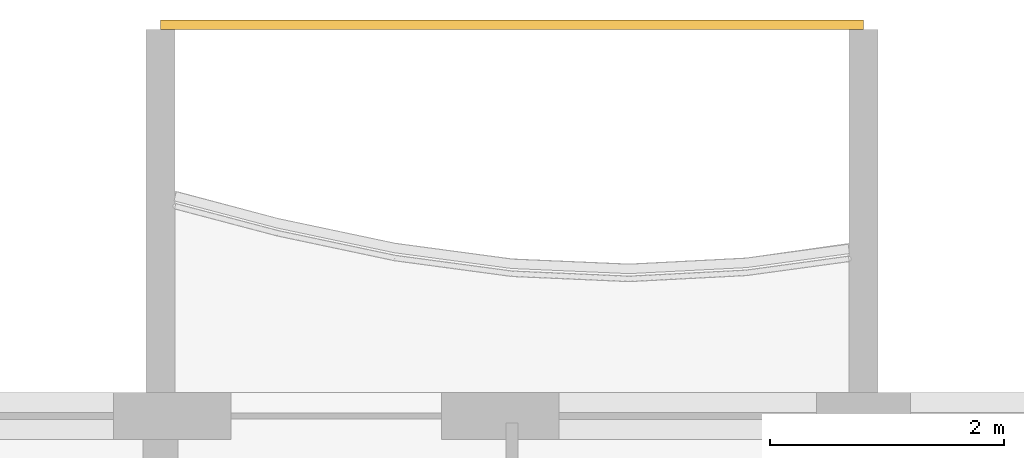
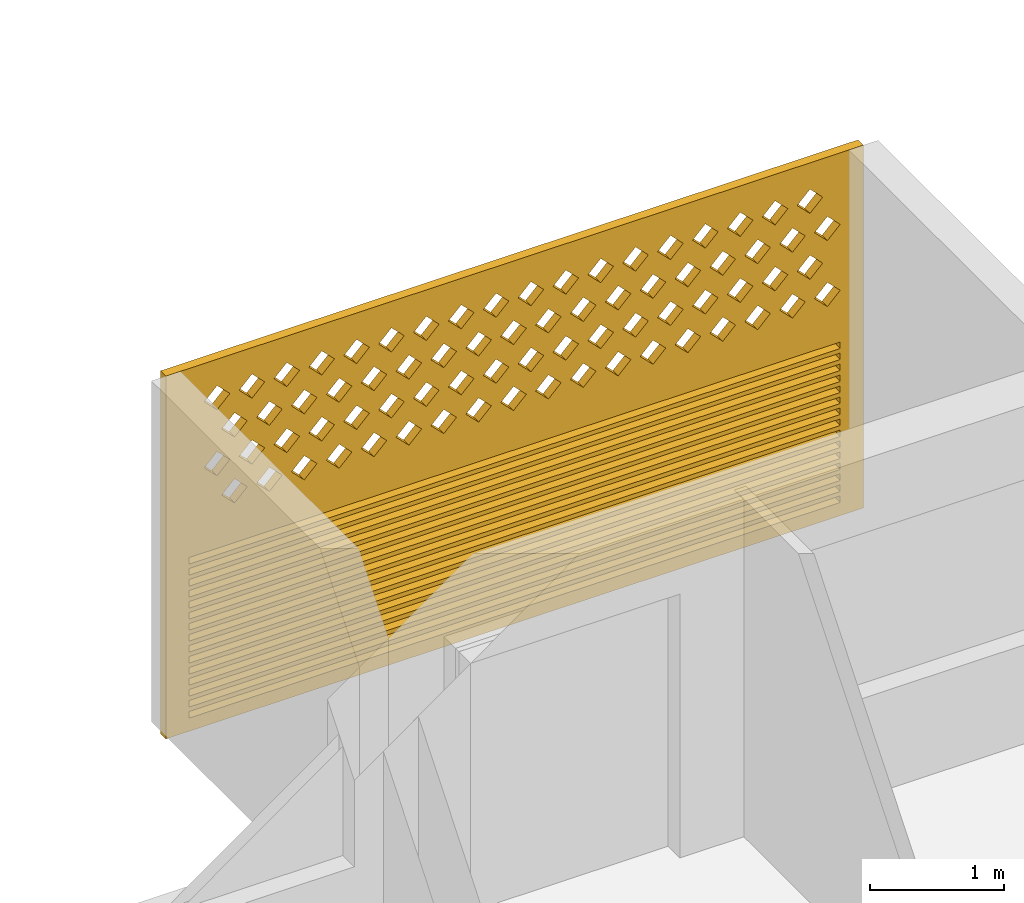
# One storey, part 27 of 33: 1 covering.
"""IFC4 building model written with IfcOpenShell, lengths in metres."""

from ifc_helpers import new_model, si_unit, direction, frame, origin, place, context, subcontext, project, spatial, polyline, outline, extrude, source, transform, mapped, material, material_profile, profile_set, type_object, element, save


model = new_model("IFC4")

# Units and contexts
model_context = context("Model", 3, precision=1e-05, world=origin(), true_north=direction((0.0, 1.0)))
body_context = subcontext(model_context, "Body", "Model", "MODEL_VIEW")
ifc_project = project(units=[si_unit("LENGTHUNIT", "METRE"), si_unit("AREAUNIT", "SQUARE_METRE"), si_unit("VOLUMEUNIT", "CUBIC_METRE"), si_unit("PLANEANGLEUNIT", "RADIAN"), si_unit("MASSUNIT", "GRAM", prefix="KILO")], contexts=[model_context])

# Site, building, storey
site_placement = place(None, origin())
site = spatial("IfcSite", under=ifc_project, at=site_placement, CompositionType="ELEMENT")
building_placement = place(site_placement, origin())
building = spatial("IfcBuilding", under=site, at=building_placement, Name="Poui Terraces", CompositionType="ELEMENT")
storey_placement = place(building_placement, frame((0.0, 0.0, 135.60009765625)))
storey = spatial("IfcBuildingStorey", under=building, at=storey_placement, Name="L37", CompositionType="ELEMENT", Elevation=135.60009765625)

# Covering
ifc_material = material(Name="Terracotta screen", Category="masonry")
ifc_material_profile = material_profile(ifc_material, outline(polyline([(-3.0, -1.64990234375), (3.0, -1.64990234375), (3.0, 1.64990234375), (-3.0, 1.64990234375), (-3.0, -1.64990234375)]), holes=[polyline([(-2.800048828125, 0.39990234375), (-2.68994140625, 0.2900390625), (-2.580078125, 0.39990234375), (-2.68994140625, 0.510009765625), (-2.800048828125, 0.39990234375)]), polyline([(-2.5, 0.39990234375), (-2.389892578125, 0.2900390625), (-2.280029296875, 0.39990234375), (-2.389892578125, 0.510009765625), (-2.5, 0.39990234375)]), polyline([(-2.199951171875, 0.39990234375), (-2.090087890625, 0.2900390625), (-1.97998046875, 0.39990234375), (-2.090087890625, 0.510009765625), (-2.199951171875, 0.39990234375)]), polyline([(-1.89990234375, 0.39990234375), (-1.7900390625, 0.2900390625), (-1.679931640625, 0.39990234375), (-1.7900390625, 0.510009765625), (-1.89990234375, 0.39990234375)]), polyline([(-1.60009765625, 0.39990234375), (-1.489990234375, 0.2900390625), (-1.3798828125, 0.39990234375), (-1.489990234375, 0.510009765625), (-1.60009765625, 0.39990234375)]), polyline([(-1.300048828125, 0.39990234375), (-1.18994140625, 0.2900390625), (-1.080078125, 0.39990234375), (-1.18994140625, 0.510009765625), (-1.300048828125, 0.39990234375)]), polyline([(-1.0, 0.39990234375), (-0.889892578125, 0.2900390625), (-0.780029296875, 0.39990234375), (-0.889892578125, 0.510009765625), (-1.0, 0.39990234375)]), polyline([(-0.699951171875, 0.39990234375), (-0.590087890625, 0.2900390625), (-0.47998046875, 0.39990234375), (-0.590087890625, 0.510009765625), (-0.699951171875, 0.39990234375)]), polyline([(-0.39990234375, 0.39990234375), (-0.2900390625, 0.2900390625), (-0.179931640625, 0.39990234375), (-0.2900390625, 0.510009765625), (-0.39990234375, 0.39990234375)]), polyline([(-0.10009765625, 0.39990234375), (0.010009765625, 0.2900390625), (0.1201171875, 0.39990234375), (0.010009765625, 0.510009765625), (-0.10009765625, 0.39990234375)]), polyline([(0.199951171875, 0.39990234375), (0.31005859375, 0.2900390625), (0.419921875, 0.39990234375), (0.31005859375, 0.510009765625), (0.199951171875, 0.39990234375)]), polyline([(0.5, 0.39990234375), (0.610107421875, 0.2900390625), (0.719970703125, 0.39990234375), (0.610107421875, 0.510009765625), (0.5, 0.39990234375)]), polyline([(0.800048828125, 0.39990234375), (0.909912109375, 0.2900390625), (1.02001953125, 0.39990234375), (0.909912109375, 0.510009765625), (0.800048828125, 0.39990234375)]), polyline([(1.10009765625, 0.39990234375), (1.2099609375, 0.2900390625), (1.320068359375, 0.39990234375), (1.2099609375, 0.510009765625), (1.10009765625, 0.39990234375)]), polyline([(1.39990234375, 0.39990234375), (1.510009765625, 0.2900390625), (1.6201171875, 0.39990234375), (1.510009765625, 0.510009765625), (1.39990234375, 0.39990234375)]), polyline([(1.699951171875, 0.39990234375), (1.81005859375, 0.2900390625), (1.919921875, 0.39990234375), (1.81005859375, 0.510009765625), (1.699951171875, 0.39990234375)]), polyline([(2.0, 0.39990234375), (2.110107421875, 0.2900390625), (2.219970703125, 0.39990234375), (2.110107421875, 0.510009765625), (2.0, 0.39990234375)]), polyline([(2.300048828125, 0.39990234375), (2.409912109375, 0.2900390625), (2.52001953125, 0.39990234375), (2.409912109375, 0.510009765625), (2.300048828125, 0.39990234375)]), polyline([(-2.64990234375, 0.699951171875), (-2.5400390625, 0.590087890625), (-2.429931640625, 0.699951171875), (-2.5400390625, 0.81005859375), (-2.64990234375, 0.699951171875)]), polyline([(-2.35009765625, 0.699951171875), (-2.239990234375, 0.590087890625), (-2.1298828125, 0.699951171875), (-2.239990234375, 0.81005859375), (-2.35009765625, 0.699951171875)]), polyline([(-2.050048828125, 0.699951171875), (-1.93994140625, 0.590087890625), (-1.830078125, 0.699951171875), (-1.93994140625, 0.81005859375), (-2.050048828125, 0.699951171875)]), polyline([(-1.75, 0.699951171875), (-1.639892578125, 0.590087890625), (-1.530029296875, 0.699951171875), (-1.639892578125, 0.81005859375), (-1.75, 0.699951171875)]), polyline([(-1.449951171875, 0.699951171875), (-1.340087890625, 0.590087890625), (-1.22998046875, 0.699951171875), (-1.340087890625, 0.81005859375), (-1.449951171875, 0.699951171875)]), polyline([(-1.14990234375, 0.699951171875), (-1.0400390625, 0.590087890625), (-0.929931640625, 0.699951171875), (-1.0400390625, 0.81005859375), (-1.14990234375, 0.699951171875)]), polyline([(-0.85009765625, 0.699951171875), (-0.739990234375, 0.590087890625), (-0.6298828125, 0.699951171875), (-0.739990234375, 0.81005859375), (-0.85009765625, 0.699951171875)]), polyline([(-0.550048828125, 0.699951171875), (-0.43994140625, 0.590087890625), (-0.330078125, 0.699951171875), (-0.43994140625, 0.81005859375), (-0.550048828125, 0.699951171875)]), polyline([(-0.25, 0.699951171875), (-0.139892578125, 0.590087890625), (-0.030029296875, 0.699951171875), (-0.139892578125, 0.81005859375), (-0.25, 0.699951171875)]), polyline([(0.050048828125, 0.699951171875), (0.159912109375, 0.590087890625), (0.27001953125, 0.699951171875), (0.159912109375, 0.81005859375), (0.050048828125, 0.699951171875)]), polyline([(0.35009765625, 0.699951171875), (0.4599609375, 0.590087890625), (0.570068359375, 0.699951171875), (0.4599609375, 0.81005859375), (0.35009765625, 0.699951171875)]), polyline([(0.64990234375, 0.699951171875), (0.760009765625, 0.590087890625), (0.8701171875, 0.699951171875), (0.760009765625, 0.81005859375), (0.64990234375, 0.699951171875)]), polyline([(0.949951171875, 0.699951171875), (1.06005859375, 0.590087890625), (1.169921875, 0.699951171875), (1.06005859375, 0.81005859375), (0.949951171875, 0.699951171875)]), polyline([(1.25, 0.699951171875), (1.360107421875, 0.590087890625), (1.469970703125, 0.699951171875), (1.360107421875, 0.81005859375), (1.25, 0.699951171875)]), polyline([(1.550048828125, 0.699951171875), (1.659912109375, 0.590087890625), (1.77001953125, 0.699951171875), (1.659912109375, 0.81005859375), (1.550048828125, 0.699951171875)]), polyline([(1.85009765625, 0.699951171875), (1.9599609375, 0.590087890625), (2.070068359375, 0.699951171875), (1.9599609375, 0.81005859375), (1.85009765625, 0.699951171875)]), polyline([(2.14990234375, 0.699951171875), (2.260009765625, 0.590087890625), (2.3701171875, 0.699951171875), (2.260009765625, 0.81005859375), (2.14990234375, 0.699951171875)]), polyline([(2.449951171875, 0.699951171875), (2.56005859375, 0.590087890625), (2.669921875, 0.699951171875), (2.56005859375, 0.81005859375), (2.449951171875, 0.699951171875)]), polyline([(-2.800048828125, 1.0), (-2.68994140625, 0.889892578125), (-2.580078125, 1.0), (-2.68994140625, 1.110107421875), (-2.800048828125, 1.0)]), polyline([(-2.5, 1.0), (-2.389892578125, 0.889892578125), (-2.280029296875, 1.0), (-2.389892578125, 1.110107421875), (-2.5, 1.0)]), polyline([(-2.199951171875, 1.0), (-2.090087890625, 0.889892578125), (-1.97998046875, 1.0), (-2.090087890625, 1.110107421875), (-2.199951171875, 1.0)]), polyline([(-1.89990234375, 1.0), (-1.7900390625, 0.889892578125), (-1.679931640625, 1.0), (-1.7900390625, 1.110107421875), (-1.89990234375, 1.0)]), polyline([(-1.60009765625, 1.0), (-1.489990234375, 0.889892578125), (-1.3798828125, 1.0), (-1.489990234375, 1.110107421875), (-1.60009765625, 1.0)]), polyline([(-1.300048828125, 1.0), (-1.18994140625, 0.889892578125), (-1.080078125, 1.0), (-1.18994140625, 1.110107421875), (-1.300048828125, 1.0)]), polyline([(-1.0, 1.0), (-0.889892578125, 0.889892578125), (-0.780029296875, 1.0), (-0.889892578125, 1.110107421875), (-1.0, 1.0)]), polyline([(-0.699951171875, 1.0), (-0.590087890625, 0.889892578125), (-0.47998046875, 1.0), (-0.590087890625, 1.110107421875), (-0.699951171875, 1.0)]), polyline([(-0.39990234375, 1.0), (-0.2900390625, 0.889892578125), (-0.179931640625, 1.0), (-0.2900390625, 1.110107421875), (-0.39990234375, 1.0)]), polyline([(-0.10009765625, 1.0), (0.010009765625, 0.889892578125), (0.1201171875, 1.0), (0.010009765625, 1.110107421875), (-0.10009765625, 1.0)]), polyline([(0.199951171875, 1.0), (0.31005859375, 0.889892578125), (0.419921875, 1.0), (0.31005859375, 1.110107421875), (0.199951171875, 1.0)]), polyline([(0.5, 1.0), (0.610107421875, 0.889892578125), (0.719970703125, 1.0), (0.610107421875, 1.110107421875), (0.5, 1.0)]), polyline([(0.800048828125, 1.0), (0.909912109375, 0.889892578125), (1.02001953125, 1.0), (0.909912109375, 1.110107421875), (0.800048828125, 1.0)]), polyline([(1.10009765625, 1.0), (1.2099609375, 0.889892578125), (1.320068359375, 1.0), (1.2099609375, 1.110107421875), (1.10009765625, 1.0)]), polyline([(1.39990234375, 1.0), (1.510009765625, 0.889892578125), (1.6201171875, 1.0), (1.510009765625, 1.110107421875), (1.39990234375, 1.0)]), polyline([(1.699951171875, 1.0), (1.81005859375, 0.889892578125), (1.919921875, 1.0), (1.81005859375, 1.110107421875), (1.699951171875, 1.0)]), polyline([(2.0, 1.0), (2.110107421875, 0.889892578125), (2.219970703125, 1.0), (2.110107421875, 1.110107421875), (2.0, 1.0)]), polyline([(2.300048828125, 1.0), (2.409912109375, 0.889892578125), (2.52001953125, 1.0), (2.409912109375, 1.110107421875), (2.300048828125, 1.0)]), polyline([(-2.64990234375, 1.300048828125), (-2.5400390625, 1.18994140625), (-2.429931640625, 1.300048828125), (-2.5400390625, 1.409912109375), (-2.64990234375, 1.300048828125)]), polyline([(-2.35009765625, 1.300048828125), (-2.239990234375, 1.18994140625), (-2.1298828125, 1.300048828125), (-2.239990234375, 1.409912109375), (-2.35009765625, 1.300048828125)]), polyline([(-2.050048828125, 1.300048828125), (-1.93994140625, 1.18994140625), (-1.830078125, 1.300048828125), (-1.93994140625, 1.409912109375), (-2.050048828125, 1.300048828125)]), polyline([(-1.75, 1.300048828125), (-1.639892578125, 1.18994140625), (-1.530029296875, 1.300048828125), (-1.639892578125, 1.409912109375), (-1.75, 1.300048828125)]), polyline([(-1.449951171875, 1.300048828125), (-1.340087890625, 1.18994140625), (-1.22998046875, 1.300048828125), (-1.340087890625, 1.409912109375), (-1.449951171875, 1.300048828125)]), polyline([(-1.14990234375, 1.300048828125), (-1.0400390625, 1.18994140625), (-0.929931640625, 1.300048828125), (-1.0400390625, 1.409912109375), (-1.14990234375, 1.300048828125)]), polyline([(-0.85009765625, 1.300048828125), (-0.739990234375, 1.18994140625), (-0.6298828125, 1.300048828125), (-0.739990234375, 1.409912109375), (-0.85009765625, 1.300048828125)]), polyline([(-0.550048828125, 1.300048828125), (-0.43994140625, 1.18994140625), (-0.330078125, 1.300048828125), (-0.43994140625, 1.409912109375), (-0.550048828125, 1.300048828125)]), polyline([(-0.25, 1.300048828125), (-0.139892578125, 1.18994140625), (-0.030029296875, 1.300048828125), (-0.139892578125, 1.409912109375), (-0.25, 1.300048828125)]), polyline([(0.050048828125, 1.300048828125), (0.159912109375, 1.18994140625), (0.27001953125, 1.300048828125), (0.159912109375, 1.409912109375), (0.050048828125, 1.300048828125)]), polyline([(0.35009765625, 1.300048828125), (0.4599609375, 1.18994140625), (0.570068359375, 1.300048828125), (0.4599609375, 1.409912109375), (0.35009765625, 1.300048828125)]), polyline([(0.64990234375, 1.300048828125), (0.760009765625, 1.18994140625), (0.8701171875, 1.300048828125), (0.760009765625, 1.409912109375), (0.64990234375, 1.300048828125)]), polyline([(0.949951171875, 1.300048828125), (1.06005859375, 1.18994140625), (1.169921875, 1.300048828125), (1.06005859375, 1.409912109375), (0.949951171875, 1.300048828125)]), polyline([(1.25, 1.300048828125), (1.360107421875, 1.18994140625), (1.469970703125, 1.300048828125), (1.360107421875, 1.409912109375), (1.25, 1.300048828125)]), polyline([(1.550048828125, 1.300048828125), (1.659912109375, 1.18994140625), (1.77001953125, 1.300048828125), (1.659912109375, 1.409912109375), (1.550048828125, 1.300048828125)]), polyline([(1.85009765625, 1.300048828125), (1.9599609375, 1.18994140625), (2.070068359375, 1.300048828125), (1.9599609375, 1.409912109375), (1.85009765625, 1.300048828125)]), polyline([(2.14990234375, 1.300048828125), (2.260009765625, 1.18994140625), (2.3701171875, 1.300048828125), (2.260009765625, 1.409912109375), (2.14990234375, 1.300048828125)]), polyline([(2.449951171875, 1.300048828125), (2.56005859375, 1.18994140625), (2.669921875, 1.300048828125), (2.56005859375, 1.409912109375), (2.449951171875, 1.300048828125)]), polyline([(-2.800048828125, -1.530029296875), (2.800048828125, -1.530029296875), (2.800048828125, -1.469970703125), (-2.800048828125, -1.469970703125), (-2.800048828125, -1.530029296875)]), polyline([(-2.800048828125, -1.429931640625), (2.800048828125, -1.429931640625), (2.800048828125, -1.3701171875), (-2.800048828125, -1.3701171875), (-2.800048828125, -1.429931640625)]), polyline([(-2.800048828125, -1.330078125), (2.800048828125, -1.330078125), (2.800048828125, -1.27001953125), (-2.800048828125, -1.27001953125), (-2.800048828125, -1.330078125)]), polyline([(-2.800048828125, -1.22998046875), (2.800048828125, -1.22998046875), (2.800048828125, -1.169921875), (-2.800048828125, -1.169921875), (-2.800048828125, -1.22998046875)]), polyline([(-2.800048828125, -1.1298828125), (2.800048828125, -1.1298828125), (2.800048828125, -1.070068359375), (-2.800048828125, -1.070068359375), (-2.800048828125, -1.1298828125)]), polyline([(-2.800048828125, -1.030029296875), (2.800048828125, -1.030029296875), (2.800048828125, -0.969970703125), (-2.800048828125, -0.969970703125), (-2.800048828125, -1.030029296875)]), polyline([(-2.800048828125, -0.929931640625), (2.800048828125, -0.929931640625), (2.800048828125, -0.8701171875), (-2.800048828125, -0.8701171875), (-2.800048828125, -0.929931640625)]), polyline([(-2.800048828125, -0.830078125), (2.800048828125, -0.830078125), (2.800048828125, -0.77001953125), (-2.800048828125, -0.77001953125), (-2.800048828125, -0.830078125)]), polyline([(-2.800048828125, -0.72998046875), (2.800048828125, -0.72998046875), (2.800048828125, -0.669921875), (-2.800048828125, -0.669921875), (-2.800048828125, -0.72998046875)]), polyline([(-2.800048828125, -0.6298828125), (2.800048828125, -0.6298828125), (2.800048828125, -0.570068359375), (-2.800048828125, -0.570068359375), (-2.800048828125, -0.6298828125)]), polyline([(-2.800048828125, -0.530029296875), (2.800048828125, -0.530029296875), (2.800048828125, -0.469970703125), (-2.800048828125, -0.469970703125), (-2.800048828125, -0.530029296875)]), polyline([(-2.800048828125, -0.429931640625), (2.800048828125, -0.429931640625), (2.800048828125, -0.3701171875), (-2.800048828125, -0.3701171875), (-2.800048828125, -0.429931640625)]), polyline([(-2.800048828125, -0.330078125), (2.800048828125, -0.330078125), (2.800048828125, -0.27001953125), (-2.800048828125, -0.27001953125), (-2.800048828125, -0.330078125)]), polyline([(-2.800048828125, -0.22998046875), (2.800048828125, -0.22998046875), (2.800048828125, -0.169921875), (-2.800048828125, -0.169921875), (-2.800048828125, -0.22998046875)]), polyline([(-2.800048828125, -0.1298828125), (2.800048828125, -0.1298828125), (2.800048828125, -0.070068359375), (-2.800048828125, -0.070068359375), (-2.800048828125, -0.1298828125)])]), Name="TERRACOTTA SCREEN AND JALOUSIE LOUVRE 6000X3300")
ifc_profile_set = profile_set([ifc_material_profile], Name="Terracotta screen")
covering_type = type_object("IfcCoveringType", Name="TERRACOTTA SCREEN AND JALOUSIE LOUVRE 6000X3300", PredefinedType="CLADDING", material=ifc_profile_set)
shared_shape = source(origin(), body_context, "Body", "SweptSolid", [
    extrude(outline(polyline([(-3.0, -1.64990234375), (3.0, -1.64990234375), (3.0, 1.64990234375), (-3.0, 1.64990234375), (-3.0, -1.64990234375)]), holes=[polyline([(-2.800048828125, 0.39990234375), (-2.68994140625, 0.2900390625), (-2.580078125, 0.39990234375), (-2.68994140625, 0.510009765625), (-2.800048828125, 0.39990234375)]), polyline([(-2.5, 0.39990234375), (-2.389892578125, 0.2900390625), (-2.280029296875, 0.39990234375), (-2.389892578125, 0.510009765625), (-2.5, 0.39990234375)]), polyline([(-2.199951171875, 0.39990234375), (-2.090087890625, 0.2900390625), (-1.97998046875, 0.39990234375), (-2.090087890625, 0.510009765625), (-2.199951171875, 0.39990234375)]), polyline([(-1.89990234375, 0.39990234375), (-1.7900390625, 0.2900390625), (-1.679931640625, 0.39990234375), (-1.7900390625, 0.510009765625), (-1.89990234375, 0.39990234375)]), polyline([(-1.60009765625, 0.39990234375), (-1.489990234375, 0.2900390625), (-1.3798828125, 0.39990234375), (-1.489990234375, 0.510009765625), (-1.60009765625, 0.39990234375)]), polyline([(-1.300048828125, 0.39990234375), (-1.18994140625, 0.2900390625), (-1.080078125, 0.39990234375), (-1.18994140625, 0.510009765625), (-1.300048828125, 0.39990234375)]), polyline([(-1.0, 0.39990234375), (-0.889892578125, 0.2900390625), (-0.780029296875, 0.39990234375), (-0.889892578125, 0.510009765625), (-1.0, 0.39990234375)]), polyline([(-0.699951171875, 0.39990234375), (-0.590087890625, 0.2900390625), (-0.47998046875, 0.39990234375), (-0.590087890625, 0.510009765625), (-0.699951171875, 0.39990234375)]), polyline([(-0.39990234375, 0.39990234375), (-0.2900390625, 0.2900390625), (-0.179931640625, 0.39990234375), (-0.2900390625, 0.510009765625), (-0.39990234375, 0.39990234375)]), polyline([(-0.10009765625, 0.39990234375), (0.010009765625, 0.2900390625), (0.1201171875, 0.39990234375), (0.010009765625, 0.510009765625), (-0.10009765625, 0.39990234375)]), polyline([(0.199951171875, 0.39990234375), (0.31005859375, 0.2900390625), (0.419921875, 0.39990234375), (0.31005859375, 0.510009765625), (0.199951171875, 0.39990234375)]), polyline([(0.5, 0.39990234375), (0.610107421875, 0.2900390625), (0.719970703125, 0.39990234375), (0.610107421875, 0.510009765625), (0.5, 0.39990234375)]), polyline([(0.800048828125, 0.39990234375), (0.909912109375, 0.2900390625), (1.02001953125, 0.39990234375), (0.909912109375, 0.510009765625), (0.800048828125, 0.39990234375)]), polyline([(1.10009765625, 0.39990234375), (1.2099609375, 0.2900390625), (1.320068359375, 0.39990234375), (1.2099609375, 0.510009765625), (1.10009765625, 0.39990234375)]), polyline([(1.39990234375, 0.39990234375), (1.510009765625, 0.2900390625), (1.6201171875, 0.39990234375), (1.510009765625, 0.510009765625), (1.39990234375, 0.39990234375)]), polyline([(1.699951171875, 0.39990234375), (1.81005859375, 0.2900390625), (1.919921875, 0.39990234375), (1.81005859375, 0.510009765625), (1.699951171875, 0.39990234375)]), polyline([(2.0, 0.39990234375), (2.110107421875, 0.2900390625), (2.219970703125, 0.39990234375), (2.110107421875, 0.510009765625), (2.0, 0.39990234375)]), polyline([(2.300048828125, 0.39990234375), (2.409912109375, 0.2900390625), (2.52001953125, 0.39990234375), (2.409912109375, 0.510009765625), (2.300048828125, 0.39990234375)]), polyline([(-2.64990234375, 0.699951171875), (-2.5400390625, 0.590087890625), (-2.429931640625, 0.699951171875), (-2.5400390625, 0.81005859375), (-2.64990234375, 0.699951171875)]), polyline([(-2.35009765625, 0.699951171875), (-2.239990234375, 0.590087890625), (-2.1298828125, 0.699951171875), (-2.239990234375, 0.81005859375), (-2.35009765625, 0.699951171875)]), polyline([(-2.050048828125, 0.699951171875), (-1.93994140625, 0.590087890625), (-1.830078125, 0.699951171875), (-1.93994140625, 0.81005859375), (-2.050048828125, 0.699951171875)]), polyline([(-1.75, 0.699951171875), (-1.639892578125, 0.590087890625), (-1.530029296875, 0.699951171875), (-1.639892578125, 0.81005859375), (-1.75, 0.699951171875)]), polyline([(-1.449951171875, 0.699951171875), (-1.340087890625, 0.590087890625), (-1.22998046875, 0.699951171875), (-1.340087890625, 0.81005859375), (-1.449951171875, 0.699951171875)]), polyline([(-1.14990234375, 0.699951171875), (-1.0400390625, 0.590087890625), (-0.929931640625, 0.699951171875), (-1.0400390625, 0.81005859375), (-1.14990234375, 0.699951171875)]), polyline([(-0.85009765625, 0.699951171875), (-0.739990234375, 0.590087890625), (-0.6298828125, 0.699951171875), (-0.739990234375, 0.81005859375), (-0.85009765625, 0.699951171875)]), polyline([(-0.550048828125, 0.699951171875), (-0.43994140625, 0.590087890625), (-0.330078125, 0.699951171875), (-0.43994140625, 0.81005859375), (-0.550048828125, 0.699951171875)]), polyline([(-0.25, 0.699951171875), (-0.139892578125, 0.590087890625), (-0.030029296875, 0.699951171875), (-0.139892578125, 0.81005859375), (-0.25, 0.699951171875)]), polyline([(0.050048828125, 0.699951171875), (0.159912109375, 0.590087890625), (0.27001953125, 0.699951171875), (0.159912109375, 0.81005859375), (0.050048828125, 0.699951171875)]), polyline([(0.35009765625, 0.699951171875), (0.4599609375, 0.590087890625), (0.570068359375, 0.699951171875), (0.4599609375, 0.81005859375), (0.35009765625, 0.699951171875)]), polyline([(0.64990234375, 0.699951171875), (0.760009765625, 0.590087890625), (0.8701171875, 0.699951171875), (0.760009765625, 0.81005859375), (0.64990234375, 0.699951171875)]), polyline([(0.949951171875, 0.699951171875), (1.06005859375, 0.590087890625), (1.169921875, 0.699951171875), (1.06005859375, 0.81005859375), (0.949951171875, 0.699951171875)]), polyline([(1.25, 0.699951171875), (1.360107421875, 0.590087890625), (1.469970703125, 0.699951171875), (1.360107421875, 0.81005859375), (1.25, 0.699951171875)]), polyline([(1.550048828125, 0.699951171875), (1.659912109375, 0.590087890625), (1.77001953125, 0.699951171875), (1.659912109375, 0.81005859375), (1.550048828125, 0.699951171875)]), polyline([(1.85009765625, 0.699951171875), (1.9599609375, 0.590087890625), (2.070068359375, 0.699951171875), (1.9599609375, 0.81005859375), (1.85009765625, 0.699951171875)]), polyline([(2.14990234375, 0.699951171875), (2.260009765625, 0.590087890625), (2.3701171875, 0.699951171875), (2.260009765625, 0.81005859375), (2.14990234375, 0.699951171875)]), polyline([(2.449951171875, 0.699951171875), (2.56005859375, 0.590087890625), (2.669921875, 0.699951171875), (2.56005859375, 0.81005859375), (2.449951171875, 0.699951171875)]), polyline([(-2.800048828125, 1.0), (-2.68994140625, 0.889892578125), (-2.580078125, 1.0), (-2.68994140625, 1.110107421875), (-2.800048828125, 1.0)]), polyline([(-2.5, 1.0), (-2.389892578125, 0.889892578125), (-2.280029296875, 1.0), (-2.389892578125, 1.110107421875), (-2.5, 1.0)]), polyline([(-2.199951171875, 1.0), (-2.090087890625, 0.889892578125), (-1.97998046875, 1.0), (-2.090087890625, 1.110107421875), (-2.199951171875, 1.0)]), polyline([(-1.89990234375, 1.0), (-1.7900390625, 0.889892578125), (-1.679931640625, 1.0), (-1.7900390625, 1.110107421875), (-1.89990234375, 1.0)]), polyline([(-1.60009765625, 1.0), (-1.489990234375, 0.889892578125), (-1.3798828125, 1.0), (-1.489990234375, 1.110107421875), (-1.60009765625, 1.0)]), polyline([(-1.300048828125, 1.0), (-1.18994140625, 0.889892578125), (-1.080078125, 1.0), (-1.18994140625, 1.110107421875), (-1.300048828125, 1.0)]), polyline([(-1.0, 1.0), (-0.889892578125, 0.889892578125), (-0.780029296875, 1.0), (-0.889892578125, 1.110107421875), (-1.0, 1.0)]), polyline([(-0.699951171875, 1.0), (-0.590087890625, 0.889892578125), (-0.47998046875, 1.0), (-0.590087890625, 1.110107421875), (-0.699951171875, 1.0)]), polyline([(-0.39990234375, 1.0), (-0.2900390625, 0.889892578125), (-0.179931640625, 1.0), (-0.2900390625, 1.110107421875), (-0.39990234375, 1.0)]), polyline([(-0.10009765625, 1.0), (0.010009765625, 0.889892578125), (0.1201171875, 1.0), (0.010009765625, 1.110107421875), (-0.10009765625, 1.0)]), polyline([(0.199951171875, 1.0), (0.31005859375, 0.889892578125), (0.419921875, 1.0), (0.31005859375, 1.110107421875), (0.199951171875, 1.0)]), polyline([(0.5, 1.0), (0.610107421875, 0.889892578125), (0.719970703125, 1.0), (0.610107421875, 1.110107421875), (0.5, 1.0)]), polyline([(0.800048828125, 1.0), (0.909912109375, 0.889892578125), (1.02001953125, 1.0), (0.909912109375, 1.110107421875), (0.800048828125, 1.0)]), polyline([(1.10009765625, 1.0), (1.2099609375, 0.889892578125), (1.320068359375, 1.0), (1.2099609375, 1.110107421875), (1.10009765625, 1.0)]), polyline([(1.39990234375, 1.0), (1.510009765625, 0.889892578125), (1.6201171875, 1.0), (1.510009765625, 1.110107421875), (1.39990234375, 1.0)]), polyline([(1.699951171875, 1.0), (1.81005859375, 0.889892578125), (1.919921875, 1.0), (1.81005859375, 1.110107421875), (1.699951171875, 1.0)]), polyline([(2.0, 1.0), (2.110107421875, 0.889892578125), (2.219970703125, 1.0), (2.110107421875, 1.110107421875), (2.0, 1.0)]), polyline([(2.300048828125, 1.0), (2.409912109375, 0.889892578125), (2.52001953125, 1.0), (2.409912109375, 1.110107421875), (2.300048828125, 1.0)]), polyline([(-2.64990234375, 1.300048828125), (-2.5400390625, 1.18994140625), (-2.429931640625, 1.300048828125), (-2.5400390625, 1.409912109375), (-2.64990234375, 1.300048828125)]), polyline([(-2.35009765625, 1.300048828125), (-2.239990234375, 1.18994140625), (-2.1298828125, 1.300048828125), (-2.239990234375, 1.409912109375), (-2.35009765625, 1.300048828125)]), polyline([(-2.050048828125, 1.300048828125), (-1.93994140625, 1.18994140625), (-1.830078125, 1.300048828125), (-1.93994140625, 1.409912109375), (-2.050048828125, 1.300048828125)]), polyline([(-1.75, 1.300048828125), (-1.639892578125, 1.18994140625), (-1.530029296875, 1.300048828125), (-1.639892578125, 1.409912109375), (-1.75, 1.300048828125)]), polyline([(-1.449951171875, 1.300048828125), (-1.340087890625, 1.18994140625), (-1.22998046875, 1.300048828125), (-1.340087890625, 1.409912109375), (-1.449951171875, 1.300048828125)]), polyline([(-1.14990234375, 1.300048828125), (-1.0400390625, 1.18994140625), (-0.929931640625, 1.300048828125), (-1.0400390625, 1.409912109375), (-1.14990234375, 1.300048828125)]), polyline([(-0.85009765625, 1.300048828125), (-0.739990234375, 1.18994140625), (-0.6298828125, 1.300048828125), (-0.739990234375, 1.409912109375), (-0.85009765625, 1.300048828125)]), polyline([(-0.550048828125, 1.300048828125), (-0.43994140625, 1.18994140625), (-0.330078125, 1.300048828125), (-0.43994140625, 1.409912109375), (-0.550048828125, 1.300048828125)]), polyline([(-0.25, 1.300048828125), (-0.139892578125, 1.18994140625), (-0.030029296875, 1.300048828125), (-0.139892578125, 1.409912109375), (-0.25, 1.300048828125)]), polyline([(0.050048828125, 1.300048828125), (0.159912109375, 1.18994140625), (0.27001953125, 1.300048828125), (0.159912109375, 1.409912109375), (0.050048828125, 1.300048828125)]), polyline([(0.35009765625, 1.300048828125), (0.4599609375, 1.18994140625), (0.570068359375, 1.300048828125), (0.4599609375, 1.409912109375), (0.35009765625, 1.300048828125)]), polyline([(0.64990234375, 1.300048828125), (0.760009765625, 1.18994140625), (0.8701171875, 1.300048828125), (0.760009765625, 1.409912109375), (0.64990234375, 1.300048828125)]), polyline([(0.949951171875, 1.300048828125), (1.06005859375, 1.18994140625), (1.169921875, 1.300048828125), (1.06005859375, 1.409912109375), (0.949951171875, 1.300048828125)]), polyline([(1.25, 1.300048828125), (1.360107421875, 1.18994140625), (1.469970703125, 1.300048828125), (1.360107421875, 1.409912109375), (1.25, 1.300048828125)]), polyline([(1.550048828125, 1.300048828125), (1.659912109375, 1.18994140625), (1.77001953125, 1.300048828125), (1.659912109375, 1.409912109375), (1.550048828125, 1.300048828125)]), polyline([(1.85009765625, 1.300048828125), (1.9599609375, 1.18994140625), (2.070068359375, 1.300048828125), (1.9599609375, 1.409912109375), (1.85009765625, 1.300048828125)]), polyline([(2.14990234375, 1.300048828125), (2.260009765625, 1.18994140625), (2.3701171875, 1.300048828125), (2.260009765625, 1.409912109375), (2.14990234375, 1.300048828125)]), polyline([(2.449951171875, 1.300048828125), (2.56005859375, 1.18994140625), (2.669921875, 1.300048828125), (2.56005859375, 1.409912109375), (2.449951171875, 1.300048828125)]), polyline([(-2.800048828125, -1.530029296875), (2.800048828125, -1.530029296875), (2.800048828125, -1.469970703125), (-2.800048828125, -1.469970703125), (-2.800048828125, -1.530029296875)]), polyline([(-2.800048828125, -1.429931640625), (2.800048828125, -1.429931640625), (2.800048828125, -1.3701171875), (-2.800048828125, -1.3701171875), (-2.800048828125, -1.429931640625)]), polyline([(-2.800048828125, -1.330078125), (2.800048828125, -1.330078125), (2.800048828125, -1.27001953125), (-2.800048828125, -1.27001953125), (-2.800048828125, -1.330078125)]), polyline([(-2.800048828125, -1.22998046875), (2.800048828125, -1.22998046875), (2.800048828125, -1.169921875), (-2.800048828125, -1.169921875), (-2.800048828125, -1.22998046875)]), polyline([(-2.800048828125, -1.1298828125), (2.800048828125, -1.1298828125), (2.800048828125, -1.070068359375), (-2.800048828125, -1.070068359375), (-2.800048828125, -1.1298828125)]), polyline([(-2.800048828125, -1.030029296875), (2.800048828125, -1.030029296875), (2.800048828125, -0.969970703125), (-2.800048828125, -0.969970703125), (-2.800048828125, -1.030029296875)]), polyline([(-2.800048828125, -0.929931640625), (2.800048828125, -0.929931640625), (2.800048828125, -0.8701171875), (-2.800048828125, -0.8701171875), (-2.800048828125, -0.929931640625)]), polyline([(-2.800048828125, -0.830078125), (2.800048828125, -0.830078125), (2.800048828125, -0.77001953125), (-2.800048828125, -0.77001953125), (-2.800048828125, -0.830078125)]), polyline([(-2.800048828125, -0.72998046875), (2.800048828125, -0.72998046875), (2.800048828125, -0.669921875), (-2.800048828125, -0.669921875), (-2.800048828125, -0.72998046875)]), polyline([(-2.800048828125, -0.6298828125), (2.800048828125, -0.6298828125), (2.800048828125, -0.570068359375), (-2.800048828125, -0.570068359375), (-2.800048828125, -0.6298828125)]), polyline([(-2.800048828125, -0.530029296875), (2.800048828125, -0.530029296875), (2.800048828125, -0.469970703125), (-2.800048828125, -0.469970703125), (-2.800048828125, -0.530029296875)]), polyline([(-2.800048828125, -0.429931640625), (2.800048828125, -0.429931640625), (2.800048828125, -0.3701171875), (-2.800048828125, -0.3701171875), (-2.800048828125, -0.429931640625)]), polyline([(-2.800048828125, -0.330078125), (2.800048828125, -0.330078125), (2.800048828125, -0.27001953125), (-2.800048828125, -0.27001953125), (-2.800048828125, -0.330078125)]), polyline([(-2.800048828125, -0.22998046875), (2.800048828125, -0.22998046875), (2.800048828125, -0.169921875), (-2.800048828125, -0.169921875), (-2.800048828125, -0.22998046875)]), polyline([(-2.800048828125, -0.1298828125), (2.800048828125, -0.1298828125), (2.800048828125, -0.070068359375), (-2.800048828125, -0.070068359375), (-2.800048828125, -0.1298828125)])]), origin(), (0.0, 0.0, 1.0), 0.080078125),
])
covering_placement = place(storey_placement, frame((57.0, 45.699951171875, 1.449951171875), z_axis=(0.0, 1.0, 0.0), x_axis=(-1.0, 0.0, 0.0)))
element("IfcCovering", 1, at=covering_placement, inside=storey, type_object=covering_type, Name="SOLAR SCREEN AND JALOUSIE LOUVRE", PredefinedType="CLADDING", context=body_context, shape_type="MappedRepresentation", body=[
    mapped(shared_shape, transform((0.0, 0.0, 0.0))),
])

save(model, "model.ifc")
